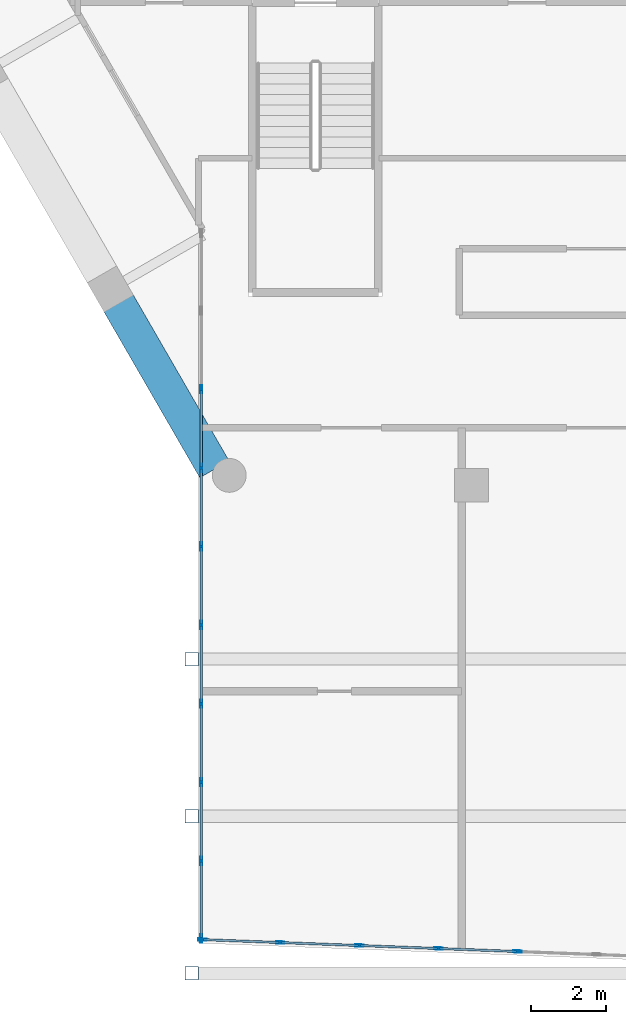
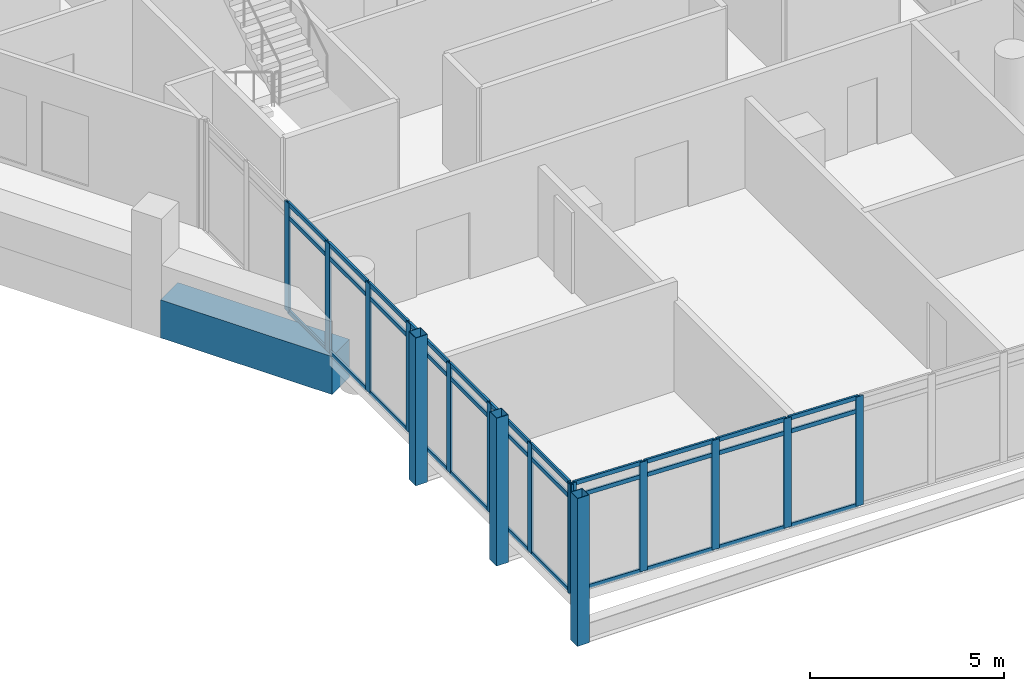
# One storey, part 2 of 25: 49 members, 1 beam, 2 elements without a shape of their own.
"""IFC4 building model written with IfcOpenShell, lengths in metres."""

from ifc_helpers import new_model, si_unit, direction, frame, origin, origin_2d, place, context, subcontext, project, spatial, rectangle, hollow_rectangle, extrude, material, material_profile, profile_set, type_object, element, aggregate, save


model = new_model("IFC4")

# Units and contexts
model_context = context("Model", 3, precision=1e-05, world=origin(), true_north=direction((0.0, 1.0)))
body_context = subcontext(model_context, "Body", "Model", "MODEL_VIEW")
ifc_project = project(units=[si_unit("LENGTHUNIT", "METRE"), si_unit("AREAUNIT", "SQUARE_METRE"), si_unit("VOLUMEUNIT", "CUBIC_METRE"), si_unit("PLANEANGLEUNIT", "RADIAN"), si_unit("MASSUNIT", "GRAM", prefix="KILO")], contexts=[model_context])

# Site, building, storey
site_placement = place(None, origin())
site = spatial("IfcSite", under=ifc_project, at=site_placement, CompositionType="ELEMENT")
building_placement = place(site_placement, origin())
building = spatial("IfcBuilding", under=site, at=building_placement, Name="Ostrander Bayou Hotel Tower", CompositionType="ELEMENT")
storey_placement = place(building_placement, frame((0.0, 0.0, 233.25)))
storey = spatial("IfcBuildingStorey", under=building, at=storey_placement, Name="L58", CompositionType="ELEMENT", Elevation=233.25)

# Curtain wall, members
ifc_material_1 = material(Name="Aluminium and clear glass", Category="aluminium")
curtain_wall_type = type_object("IfcCurtainWallType", Name="CW-BAR glazed wall", PredefinedType="NOTDEFINED", material=ifc_material_1)
curtain_wall_1_placement = place(storey_placement, origin())
curtain_wall_1 = element("IfcCurtainWall", 1, at=curtain_wall_1_placement, inside=storey, type_object=curtain_wall_type, Name="CW-BAR L58:SB5S:E", PredefinedType="NOTDEFINED")
ifc_material_2 = material(Name="Aluminium", Category="aluminium")
ifc_material_profile_1 = material_profile(ifc_material_2, hollow_rectangle(XDim=0.06005859375, YDim=0.219970703125, WallThickness=0.00390625, at=origin_2d()))
ifc_profile_set_1 = profile_set([ifc_material_profile_1], Name="Aluminium")
member_type_1 = type_object("IfcMemberType", Name="CW-BR mullion 60 x 220 mm", PredefinedType="MULLION", material=ifc_profile_set_1)
member_1_placement = place(storey_placement, frame((-10.51220703125, -13.972412109375, 0.0), z_axis=(0.0, 0.0, 1.0), x_axis=(1.0, 0.0, 0.0)))
member_1 = element("IfcMember", 2, at=member_1_placement, type_object=member_type_1, Name="CW-BAR mullion 3", PredefinedType="MULLION", context=body_context, shape_type="SweptSolid", body=[
    extrude(hollow_rectangle(XDim=0.06005859375, YDim=0.219970703125, WallThickness=0.00390625, at=origin_2d()), origin(), (0.0, 0.0, 1.0), 3.449951171875),
])
member_2_placement = place(storey_placement, frame((-10.51220703125, -16.0625, 0.0), z_axis=(0.0, 0.0, 1.0), x_axis=(1.0, 0.0, 0.0)))
member_2 = element("IfcMember", 3, at=member_2_placement, type_object=member_type_1, Name="CW-BAR mullion 4", PredefinedType="MULLION", context=body_context, shape_type="SweptSolid", body=[
    extrude(hollow_rectangle(XDim=0.06005859375, YDim=0.219970703125, WallThickness=0.00390625, at=origin_2d()), origin(), (0.0, 0.0, 1.0), 3.449951171875),
])
member_3_placement = place(storey_placement, frame((-10.51220703125, -18.152587890625, 0.0), z_axis=(0.0, 0.0, 1.0), x_axis=(1.0, 0.0, 0.0)))
member_3 = element("IfcMember", 4, at=member_3_placement, type_object=member_type_1, Name="CW-BAR mullion 5", PredefinedType="MULLION", context=body_context, shape_type="SweptSolid", body=[
    extrude(hollow_rectangle(XDim=0.06005859375, YDim=0.219970703125, WallThickness=0.00390625, at=origin_2d()), origin(), (0.0, 0.0, 1.0), 3.449951171875),
])
member_4_placement = place(storey_placement, frame((-10.51220703125, -20.24267578125, 0.0), z_axis=(0.0, 0.0, 1.0), x_axis=(1.0, 0.0, 0.0)))
member_4 = element("IfcMember", 5, at=member_4_placement, type_object=member_type_1, Name="CW-BAR mullion 6", PredefinedType="MULLION", context=body_context, shape_type="SweptSolid", body=[
    extrude(hollow_rectangle(XDim=0.06005859375, YDim=0.219970703125, WallThickness=0.00390625, at=origin_2d()), origin(), (0.0, 0.0, 1.0), 3.449951171875),
])
member_5_placement = place(storey_placement, frame((-10.51220703125, -22.33251953125, 0.0), z_axis=(0.0, 0.0, 1.0), x_axis=(1.0, 0.0, 0.0)))
member_5 = element("IfcMember", 6, at=member_5_placement, type_object=member_type_1, Name="CW-BAR mullion 7", PredefinedType="MULLION", context=body_context, shape_type="SweptSolid", body=[
    extrude(hollow_rectangle(XDim=0.06005859375, YDim=0.219970703125, WallThickness=0.00390625, at=origin_2d()), origin(), (0.0, 0.0, 1.0), 3.449951171875),
])
member_6_placement = place(storey_placement, frame((-10.51220703125, -24.422607421875, 0.0), z_axis=(0.0, 0.0, 1.0), x_axis=(1.0, 0.0, 0.0)))
member_6 = element("IfcMember", 7, at=member_6_placement, type_object=member_type_1, Name="CW-BAR mullion 8", PredefinedType="MULLION", context=body_context, shape_type="SweptSolid", body=[
    extrude(hollow_rectangle(XDim=0.06005859375, YDim=0.219970703125, WallThickness=0.00390625, at=origin_2d()), origin(), (0.0, 0.0, 1.0), 3.449951171875),
])
member_7_placement = place(storey_placement, frame((-10.51220703125, -26.5126953125, 0.0), z_axis=(0.0, 0.0, 1.0), x_axis=(1.0, 0.0, 0.0)))
member_7 = element("IfcMember", 8, at=member_7_placement, type_object=member_type_1, Name="CW-BAR mullion 9", PredefinedType="MULLION", context=body_context, shape_type="SweptSolid", body=[
    extrude(hollow_rectangle(XDim=0.06005859375, YDim=0.219970703125, WallThickness=0.00390625, at=origin_2d()), origin(), (0.0, 0.0, 1.0), 3.449951171875),
])
member_8_placement = place(storey_placement, frame((-10.51220703125, -28.57275390625, 0.0), z_axis=(0.0, 0.0, 1.0), x_axis=(1.0, 0.0, 0.0)))
member_8 = element("IfcMember", 9, at=member_8_placement, type_object=member_type_1, Name="CW-BAR mullion 10", PredefinedType="MULLION", context=body_context, shape_type="SweptSolid", body=[
    extrude(hollow_rectangle(XDim=0.06005859375, YDim=0.219970703125, WallThickness=0.00390625, at=origin_2d()), origin(), (0.0, 0.0, 1.0), 3.449951171875),
])

curtain_wall_2_placement = place(storey_placement, origin())
curtain_wall_2 = element("IfcCurtainWall", 10, at=curtain_wall_2_placement, inside=storey, type_object=curtain_wall_type, Name="CW-BAR L58:SB5S:T", PredefinedType="NOTDEFINED")
member_9_placement = place(storey_placement, frame((-10.482177734375, -28.60400390625, 0.0), z_axis=(0.0, 0.0, 1.0), x_axis=(0.037757725854, 0.99928692283, 0.0)))
member_9 = element("IfcMember", 11, at=member_9_placement, type_object=member_type_1, Name="CW-BAR mullion 1", PredefinedType="MULLION", context=body_context, shape_type="SweptSolid", body=[
    extrude(hollow_rectangle(XDim=0.06005859375, YDim=0.219970703125, WallThickness=0.00390625, at=origin_2d()), origin(), (0.0, 0.0, 1.0), 3.449951171875),
])
member_10_placement = place(storey_placement, frame((-8.40966796875, -28.68212890625, 0.0), z_axis=(0.0, 0.0, 1.0), x_axis=(0.037757725854, 0.99928692283, 0.0)))
member_10 = element("IfcMember", 12, at=member_10_placement, type_object=member_type_1, Name="CW-BAR mullion 2", PredefinedType="MULLION", context=body_context, shape_type="SweptSolid", body=[
    extrude(hollow_rectangle(XDim=0.06005859375, YDim=0.219970703125, WallThickness=0.00390625, at=origin_2d()), origin(), (0.0, 0.0, 1.0), 3.449951171875),
])
member_11_placement = place(storey_placement, frame((-6.307373046875, -28.76171875, 0.0), z_axis=(0.0, 0.0, 1.0), x_axis=(0.037757725854, 0.99928692283, 0.0)))
member_11 = element("IfcMember", 13, at=member_11_placement, type_object=member_type_1, Name="CW-BAR mullion 3", PredefinedType="MULLION", context=body_context, shape_type="SweptSolid", body=[
    extrude(hollow_rectangle(XDim=0.06005859375, YDim=0.219970703125, WallThickness=0.00390625, at=origin_2d()), origin(), (0.0, 0.0, 1.0), 3.449951171875),
])
member_12_placement = place(storey_placement, frame((-4.204833984375, -28.841064453125, 0.0), z_axis=(0.0, 0.0, 1.0), x_axis=(0.037757725854, 0.99928692283, 0.0)))
member_12 = element("IfcMember", 14, at=member_12_placement, type_object=member_type_1, Name="CW-BAR mullion 4", PredefinedType="MULLION", context=body_context, shape_type="SweptSolid", body=[
    extrude(hollow_rectangle(XDim=0.06005859375, YDim=0.219970703125, WallThickness=0.00390625, at=origin_2d()), origin(), (0.0, 0.0, 1.0), 3.449951171875),
])
member_13_placement = place(storey_placement, frame((-2.1025390625, -28.920654296875, 0.0), z_axis=(0.0, 0.0, 1.0), x_axis=(0.037757725854, 0.99928692283, 0.0)))
member_13 = element("IfcMember", 15, at=member_13_placement, type_object=member_type_1, Name="CW-BAR mullion 5", PredefinedType="MULLION", context=body_context, shape_type="SweptSolid", body=[
    extrude(hollow_rectangle(XDim=0.06005859375, YDim=0.219970703125, WallThickness=0.00390625, at=origin_2d()), origin(), (0.0, 0.0, 1.0), 3.449951171875),
])

# Member
ifc_material_3 = material(Name="Aluminium", Category="aluminium")
ifc_material_profile_2 = material_profile(ifc_material_3, hollow_rectangle(XDim=0.06005859375, YDim=0.1298828125, WallThickness=0.00390625, at=origin_2d()))
ifc_profile_set_2 = profile_set([ifc_material_profile_2], Name="Aluminium")
member_type_2 = type_object("IfcMemberType", Name="CW-BR transom 60 x 130 mm", PredefinedType="USERDEFINED", material=ifc_profile_set_2)
member_14_placement = place(storey_placement, frame((-10.51220703125, -14.00244140625, 0.030029296875), z_axis=(0.0, -1.0, 0.0), x_axis=(1.0, 0.0, 0.0)))
member_14 = element("IfcMember", 16, at=member_14_placement, type_object=member_type_2, Name="CW-BAR transom 3.1", ObjectType="TRANSOM", PredefinedType="USERDEFINED", context=body_context, shape_type="SweptSolid", body=[
    extrude(hollow_rectangle(XDim=0.06005859375, YDim=0.1298828125, WallThickness=0.00390625, at=origin_2d()), origin(), (0.0, 0.0, 1.0), 2.030029296875),
])

member_15_placement = place(storey_placement, frame((-10.51220703125, -14.00244140625, 3.0), z_axis=(0.0, -1.0, 0.0), x_axis=(1.0, 0.0, 0.0)))
member_15 = element("IfcMember", 17, at=member_15_placement, type_object=member_type_2, Name="CW-BAR transom 3.2", ObjectType="TRANSOM", PredefinedType="USERDEFINED", context=body_context, shape_type="SweptSolid", body=[
    extrude(hollow_rectangle(XDim=0.06005859375, YDim=0.1298828125, WallThickness=0.00390625, at=origin_2d()), origin(), (0.0, 0.0, 1.0), 2.030029296875),
])

member_16_placement = place(storey_placement, frame((-10.51220703125, -14.00244140625, 3.419921875), z_axis=(0.0, -1.0, 0.0), x_axis=(1.0, 0.0, 0.0)))
member_16 = element("IfcMember", 18, at=member_16_placement, type_object=member_type_2, Name="CW-BAR transom 3.3", ObjectType="TRANSOM", PredefinedType="USERDEFINED", context=body_context, shape_type="SweptSolid", body=[
    extrude(hollow_rectangle(XDim=0.06005859375, YDim=0.1298828125, WallThickness=0.00390625, at=origin_2d()), origin(), (0.0, 0.0, 1.0), 2.030029296875),
])

member_17_placement = place(storey_placement, frame((-10.51220703125, -16.092529296875, 0.030029296875), z_axis=(0.0, -1.0, 0.0), x_axis=(1.0, 0.0, 0.0)))
member_17 = element("IfcMember", 19, at=member_17_placement, type_object=member_type_2, Name="CW-BAR transom 4.1", ObjectType="TRANSOM", PredefinedType="USERDEFINED", context=body_context, shape_type="SweptSolid", body=[
    extrude(hollow_rectangle(XDim=0.06005859375, YDim=0.1298828125, WallThickness=0.00390625, at=origin_2d()), origin(), (0.0, 0.0, 1.0), 2.030029296875),
])

member_18_placement = place(storey_placement, frame((-10.51220703125, -16.092529296875, 3.0), z_axis=(0.0, -1.0, 0.0), x_axis=(1.0, 0.0, 0.0)))
member_18 = element("IfcMember", 20, at=member_18_placement, type_object=member_type_2, Name="CW-BAR transom 4.2", ObjectType="TRANSOM", PredefinedType="USERDEFINED", context=body_context, shape_type="SweptSolid", body=[
    extrude(hollow_rectangle(XDim=0.06005859375, YDim=0.1298828125, WallThickness=0.00390625, at=origin_2d()), origin(), (0.0, 0.0, 1.0), 2.030029296875),
])

member_19_placement = place(storey_placement, frame((-10.51220703125, -16.092529296875, 3.419921875), z_axis=(0.0, -1.0, 0.0), x_axis=(1.0, 0.0, 0.0)))
member_19 = element("IfcMember", 21, at=member_19_placement, type_object=member_type_2, Name="CW-BAR transom 4.3", ObjectType="TRANSOM", PredefinedType="USERDEFINED", context=body_context, shape_type="SweptSolid", body=[
    extrude(hollow_rectangle(XDim=0.06005859375, YDim=0.1298828125, WallThickness=0.00390625, at=origin_2d()), origin(), (0.0, 0.0, 1.0), 2.030029296875),
])

member_20_placement = place(storey_placement, frame((-10.51220703125, -18.1826171875, 0.030029296875), z_axis=(0.0, -1.0, 0.0), x_axis=(1.0, 0.0, 0.0)))
member_20 = element("IfcMember", 22, at=member_20_placement, type_object=member_type_2, Name="CW-BAR transom 5.1", ObjectType="TRANSOM", PredefinedType="USERDEFINED", context=body_context, shape_type="SweptSolid", body=[
    extrude(hollow_rectangle(XDim=0.06005859375, YDim=0.1298828125, WallThickness=0.00390625, at=origin_2d()), origin(), (0.0, 0.0, 1.0), 2.030029296875),
])

member_21_placement = place(storey_placement, frame((-10.51220703125, -18.1826171875, 3.0), z_axis=(0.0, -1.0, 0.0), x_axis=(1.0, 0.0, 0.0)))
member_21 = element("IfcMember", 23, at=member_21_placement, type_object=member_type_2, Name="CW-BAR transom 5.2", ObjectType="TRANSOM", PredefinedType="USERDEFINED", context=body_context, shape_type="SweptSolid", body=[
    extrude(hollow_rectangle(XDim=0.06005859375, YDim=0.1298828125, WallThickness=0.00390625, at=origin_2d()), origin(), (0.0, 0.0, 1.0), 2.030029296875),
])

member_22_placement = place(storey_placement, frame((-10.51220703125, -18.1826171875, 3.419921875), z_axis=(0.0, -1.0, 0.0), x_axis=(1.0, 0.0, 0.0)))
member_22 = element("IfcMember", 24, at=member_22_placement, type_object=member_type_2, Name="CW-BAR transom 5.3", ObjectType="TRANSOM", PredefinedType="USERDEFINED", context=body_context, shape_type="SweptSolid", body=[
    extrude(hollow_rectangle(XDim=0.06005859375, YDim=0.1298828125, WallThickness=0.00390625, at=origin_2d()), origin(), (0.0, 0.0, 1.0), 2.030029296875),
])

member_23_placement = place(storey_placement, frame((-10.51220703125, -20.2724609375, 0.030029296875), z_axis=(0.0, -1.0, 0.0), x_axis=(1.0, 0.0, 0.0)))
member_23 = element("IfcMember", 25, at=member_23_placement, type_object=member_type_2, Name="CW-BAR transom 6.1", ObjectType="TRANSOM", PredefinedType="USERDEFINED", context=body_context, shape_type="SweptSolid", body=[
    extrude(hollow_rectangle(XDim=0.06005859375, YDim=0.1298828125, WallThickness=0.00390625, at=origin_2d()), origin(), (0.0, 0.0, 1.0), 2.0302734375),
])

member_24_placement = place(storey_placement, frame((-10.51220703125, -20.2724609375, 3.0), z_axis=(0.0, -1.0, 0.0), x_axis=(1.0, 0.0, 0.0)))
member_24 = element("IfcMember", 26, at=member_24_placement, type_object=member_type_2, Name="CW-BAR transom 6.2", ObjectType="TRANSOM", PredefinedType="USERDEFINED", context=body_context, shape_type="SweptSolid", body=[
    extrude(hollow_rectangle(XDim=0.06005859375, YDim=0.1298828125, WallThickness=0.00390625, at=origin_2d()), origin(), (0.0, 0.0, 1.0), 2.0302734375),
])

member_25_placement = place(storey_placement, frame((-10.51220703125, -20.2724609375, 3.419921875), z_axis=(0.0, -1.0, 0.0), x_axis=(1.0, 0.0, 0.0)))
member_25 = element("IfcMember", 27, at=member_25_placement, type_object=member_type_2, Name="CW-BAR transom 6.3", ObjectType="TRANSOM", PredefinedType="USERDEFINED", context=body_context, shape_type="SweptSolid", body=[
    extrude(hollow_rectangle(XDim=0.06005859375, YDim=0.1298828125, WallThickness=0.00390625, at=origin_2d()), origin(), (0.0, 0.0, 1.0), 2.0302734375),
])

member_26_placement = place(storey_placement, frame((-10.51220703125, -22.362548828125, 0.030029296875), z_axis=(0.0, -1.0, 0.0), x_axis=(1.0, 0.0, 0.0)))
member_26 = element("IfcMember", 28, at=member_26_placement, type_object=member_type_2, Name="CW-BAR transom 7.1", ObjectType="TRANSOM", PredefinedType="USERDEFINED", context=body_context, shape_type="SweptSolid", body=[
    extrude(hollow_rectangle(XDim=0.06005859375, YDim=0.1298828125, WallThickness=0.00390625, at=origin_2d()), origin(), (0.0, 0.0, 1.0), 2.030029296875),
])

member_27_placement = place(storey_placement, frame((-10.51220703125, -22.362548828125, 3.0), z_axis=(0.0, -1.0, 0.0), x_axis=(1.0, 0.0, 0.0)))
member_27 = element("IfcMember", 29, at=member_27_placement, type_object=member_type_2, Name="CW-BAR transom 7.2", ObjectType="TRANSOM", PredefinedType="USERDEFINED", context=body_context, shape_type="SweptSolid", body=[
    extrude(hollow_rectangle(XDim=0.06005859375, YDim=0.1298828125, WallThickness=0.00390625, at=origin_2d()), origin(), (0.0, 0.0, 1.0), 2.030029296875),
])

member_28_placement = place(storey_placement, frame((-10.51220703125, -22.362548828125, 3.419921875), z_axis=(0.0, -1.0, 0.0), x_axis=(1.0, 0.0, 0.0)))
member_28 = element("IfcMember", 30, at=member_28_placement, type_object=member_type_2, Name="CW-BAR transom 7.3", ObjectType="TRANSOM", PredefinedType="USERDEFINED", context=body_context, shape_type="SweptSolid", body=[
    extrude(hollow_rectangle(XDim=0.06005859375, YDim=0.1298828125, WallThickness=0.00390625, at=origin_2d()), origin(), (0.0, 0.0, 1.0), 2.030029296875),
])

member_29_placement = place(storey_placement, frame((-10.51220703125, -24.45263671875, 0.030029296875), z_axis=(0.0, -1.0, 0.0), x_axis=(1.0, 0.0, 0.0)))
member_29 = element("IfcMember", 31, at=member_29_placement, type_object=member_type_2, Name="CW-BAR transom 8.1", ObjectType="TRANSOM", PredefinedType="USERDEFINED", context=body_context, shape_type="SweptSolid", body=[
    extrude(hollow_rectangle(XDim=0.06005859375, YDim=0.1298828125, WallThickness=0.00390625, at=origin_2d()), origin(), (0.0, 0.0, 1.0), 2.030029296875),
])

member_30_placement = place(storey_placement, frame((-10.51220703125, -24.45263671875, 3.0), z_axis=(0.0, -1.0, 0.0), x_axis=(1.0, 0.0, 0.0)))
member_30 = element("IfcMember", 32, at=member_30_placement, type_object=member_type_2, Name="CW-BAR transom 8.2", ObjectType="TRANSOM", PredefinedType="USERDEFINED", context=body_context, shape_type="SweptSolid", body=[
    extrude(hollow_rectangle(XDim=0.06005859375, YDim=0.1298828125, WallThickness=0.00390625, at=origin_2d()), origin(), (0.0, 0.0, 1.0), 2.030029296875),
])

member_31_placement = place(storey_placement, frame((-10.51220703125, -24.45263671875, 3.419921875), z_axis=(0.0, -1.0, 0.0), x_axis=(1.0, 0.0, 0.0)))
member_31 = element("IfcMember", 33, at=member_31_placement, type_object=member_type_2, Name="CW-BAR transom 8.3", ObjectType="TRANSOM", PredefinedType="USERDEFINED", context=body_context, shape_type="SweptSolid", body=[
    extrude(hollow_rectangle(XDim=0.06005859375, YDim=0.1298828125, WallThickness=0.00390625, at=origin_2d()), origin(), (0.0, 0.0, 1.0), 2.030029296875),
])

member_32_placement = place(storey_placement, frame((-10.51220703125, -26.542724609375, 0.030029296875), z_axis=(0.0, -1.0, 0.0), x_axis=(1.0, 0.0, 0.0)))
member_32 = element("IfcMember", 34, at=member_32_placement, type_object=member_type_2, Name="CW-BAR transom 9.1", ObjectType="TRANSOM", PredefinedType="USERDEFINED", context=body_context, shape_type="SweptSolid", body=[
    extrude(hollow_rectangle(XDim=0.06005859375, YDim=0.1298828125, WallThickness=0.00390625, at=origin_2d()), origin(), (0.0, 0.0, 1.0), 2.0),
])

member_33_placement = place(storey_placement, frame((-10.51220703125, -26.542724609375, 3.0), z_axis=(0.0, -1.0, 0.0), x_axis=(1.0, 0.0, 0.0)))
member_33 = element("IfcMember", 35, at=member_33_placement, type_object=member_type_2, Name="CW-BAR transom 9.2", ObjectType="TRANSOM", PredefinedType="USERDEFINED", context=body_context, shape_type="SweptSolid", body=[
    extrude(hollow_rectangle(XDim=0.06005859375, YDim=0.1298828125, WallThickness=0.00390625, at=origin_2d()), origin(), (0.0, 0.0, 1.0), 2.0),
])

member_34_placement = place(storey_placement, frame((-10.51220703125, -26.542724609375, 3.419921875), z_axis=(0.0, -1.0, 0.0), x_axis=(1.0, 0.0, 0.0)))
member_34 = element("IfcMember", 36, at=member_34_placement, type_object=member_type_2, Name="CW-BAR transom 9.3", ObjectType="TRANSOM", PredefinedType="USERDEFINED", context=body_context, shape_type="SweptSolid", body=[
    extrude(hollow_rectangle(XDim=0.06005859375, YDim=0.1298828125, WallThickness=0.00390625, at=origin_2d()), origin(), (0.0, 0.0, 1.0), 2.0),
])

aggregate(curtain_wall_1, [member_1, member_2, member_3, member_4, member_5, member_6, member_7, member_8, member_14, member_15, member_16, member_17, member_18, member_19, member_20, member_21, member_22, member_23, member_24, member_25, member_26, member_27, member_28, member_29, member_30, member_31, member_32, member_33, member_34])

member_35_placement = place(storey_placement, frame((-10.4521484375, -28.60498046875, 0.030029296875), z_axis=(0.999284446259, -0.0378232133, 0.0), x_axis=(0.0378232133, 0.999284446259, 0.0)))
member_35 = element("IfcMember", 37, at=member_35_placement, type_object=member_type_2, Name="CW-BAR transom 1.1", ObjectType="TRANSOM", PredefinedType="USERDEFINED", context=body_context, shape_type="SweptSolid", body=[
    extrude(hollow_rectangle(XDim=0.06005859375, YDim=0.1298828125, WallThickness=0.00390625, at=origin_2d()), origin(), (0.0, 0.0, 1.0), 2.013916015625),
])

member_36_placement = place(storey_placement, frame((-10.4521484375, -28.60498046875, 3.0), z_axis=(0.999284446259, -0.0378232133, 0.0), x_axis=(0.0378232133, 0.999284446259, 0.0)))
member_36 = element("IfcMember", 38, at=member_36_placement, type_object=member_type_2, Name="CW-BAR transom 1.2", ObjectType="TRANSOM", PredefinedType="USERDEFINED", context=body_context, shape_type="SweptSolid", body=[
    extrude(hollow_rectangle(XDim=0.06005859375, YDim=0.1298828125, WallThickness=0.00390625, at=origin_2d()), origin(), (0.0, 0.0, 1.0), 2.013916015625),
])

member_37_placement = place(storey_placement, frame((-10.4521484375, -28.60498046875, 3.419921875), z_axis=(0.999284446259, -0.0378232133, 0.0), x_axis=(0.0378232133, 0.999284446259, 0.0)))
member_37 = element("IfcMember", 39, at=member_37_placement, type_object=member_type_2, Name="CW-BAR transom 1.3", ObjectType="TRANSOM", PredefinedType="USERDEFINED", context=body_context, shape_type="SweptSolid", body=[
    extrude(hollow_rectangle(XDim=0.06005859375, YDim=0.1298828125, WallThickness=0.00390625, at=origin_2d()), origin(), (0.0, 0.0, 1.0), 2.013916015625),
])

member_38_placement = place(storey_placement, frame((-8.3798828125, -28.683349609375, 0.030029296875), z_axis=(0.999287402917, -0.037745017849, 0.0), x_axis=(0.037745017849, 0.999287402917, 0.0)))
member_38 = element("IfcMember", 40, at=member_38_placement, type_object=member_type_2, Name="CW-BAR transom 2.1", ObjectType="TRANSOM", PredefinedType="USERDEFINED", context=body_context, shape_type="SweptSolid", body=[
    extrude(hollow_rectangle(XDim=0.06005859375, YDim=0.1298828125, WallThickness=0.00390625, at=origin_2d()), origin(), (0.0, 0.0, 1.0), 2.0439453125),
])

member_39_placement = place(storey_placement, frame((-8.3798828125, -28.683349609375, 3.0), z_axis=(0.999287402917, -0.037745017849, 0.0), x_axis=(0.037745017849, 0.999287402917, 0.0)))
member_39 = element("IfcMember", 41, at=member_39_placement, type_object=member_type_2, Name="CW-BAR transom 2.2", ObjectType="TRANSOM", PredefinedType="USERDEFINED", context=body_context, shape_type="SweptSolid", body=[
    extrude(hollow_rectangle(XDim=0.06005859375, YDim=0.1298828125, WallThickness=0.00390625, at=origin_2d()), origin(), (0.0, 0.0, 1.0), 2.0439453125),
])

member_40_placement = place(storey_placement, frame((-8.3798828125, -28.683349609375, 3.419921875), z_axis=(0.999287402917, -0.037745017849, 0.0), x_axis=(0.037745017849, 0.999287402917, 0.0)))
member_40 = element("IfcMember", 42, at=member_40_placement, type_object=member_type_2, Name="CW-BAR transom 2.3", ObjectType="TRANSOM", PredefinedType="USERDEFINED", context=body_context, shape_type="SweptSolid", body=[
    extrude(hollow_rectangle(XDim=0.06005859375, YDim=0.1298828125, WallThickness=0.00390625, at=origin_2d()), origin(), (0.0, 0.0, 1.0), 2.0439453125),
])

member_41_placement = place(storey_placement, frame((-6.27734375, -28.7626953125, 0.030029296875), z_axis=(0.99928289053, -0.037864293127, 0.0), x_axis=(0.037864293127, 0.99928289053, 0.0)))
member_41 = element("IfcMember", 43, at=member_41_placement, type_object=member_type_2, Name="CW-BAR transom 3.1", ObjectType="TRANSOM", PredefinedType="USERDEFINED", context=body_context, shape_type="SweptSolid", body=[
    extrude(hollow_rectangle(XDim=0.06005859375, YDim=0.1298828125, WallThickness=0.00390625, at=origin_2d()), origin(), (0.0, 0.0, 1.0), 2.0439453125),
])

member_42_placement = place(storey_placement, frame((-6.27734375, -28.7626953125, 3.0), z_axis=(0.99928289053, -0.037864293127, 0.0), x_axis=(0.037864293127, 0.99928289053, 0.0)))
member_42 = element("IfcMember", 44, at=member_42_placement, type_object=member_type_2, Name="CW-BAR transom 3.2", ObjectType="TRANSOM", PredefinedType="USERDEFINED", context=body_context, shape_type="SweptSolid", body=[
    extrude(hollow_rectangle(XDim=0.06005859375, YDim=0.1298828125, WallThickness=0.00390625, at=origin_2d()), origin(), (0.0, 0.0, 1.0), 2.0439453125),
])

member_43_placement = place(storey_placement, frame((-6.27734375, -28.7626953125, 3.419921875), z_axis=(0.99928289053, -0.037864293127, 0.0), x_axis=(0.037864293127, 0.99928289053, 0.0)))
member_43 = element("IfcMember", 45, at=member_43_placement, type_object=member_type_2, Name="CW-BAR transom 3.3", ObjectType="TRANSOM", PredefinedType="USERDEFINED", context=body_context, shape_type="SweptSolid", body=[
    extrude(hollow_rectangle(XDim=0.06005859375, YDim=0.1298828125, WallThickness=0.00390625, at=origin_2d()), origin(), (0.0, 0.0, 1.0), 2.0439453125),
])

member_44_placement = place(storey_placement, frame((-4.1748046875, -28.84228515625, 0.030029296875), z_axis=(0.999287402917, -0.037745017849, 0.0), x_axis=(0.037745017849, 0.999287402917, 0.0)))
member_44 = element("IfcMember", 46, at=member_44_placement, type_object=member_type_2, Name="CW-BAR transom 4.1", ObjectType="TRANSOM", PredefinedType="USERDEFINED", context=body_context, shape_type="SweptSolid", body=[
    extrude(hollow_rectangle(XDim=0.06005859375, YDim=0.1298828125, WallThickness=0.00390625, at=origin_2d()), origin(), (0.0, 0.0, 1.0), 2.0439453125),
])

member_45_placement = place(storey_placement, frame((-4.1748046875, -28.84228515625, 3.0), z_axis=(0.999287402917, -0.037745017849, 0.0), x_axis=(0.037745017849, 0.999287402917, 0.0)))
member_45 = element("IfcMember", 47, at=member_45_placement, type_object=member_type_2, Name="CW-BAR transom 4.2", ObjectType="TRANSOM", PredefinedType="USERDEFINED", context=body_context, shape_type="SweptSolid", body=[
    extrude(hollow_rectangle(XDim=0.06005859375, YDim=0.1298828125, WallThickness=0.00390625, at=origin_2d()), origin(), (0.0, 0.0, 1.0), 2.0439453125),
])

member_46_placement = place(storey_placement, frame((-4.1748046875, -28.84228515625, 3.419921875), z_axis=(0.999287402917, -0.037745017849, 0.0), x_axis=(0.037745017849, 0.999287402917, 0.0)))
member_46 = element("IfcMember", 48, at=member_46_placement, type_object=member_type_2, Name="CW-BAR transom 4.3", ObjectType="TRANSOM", PredefinedType="USERDEFINED", context=body_context, shape_type="SweptSolid", body=[
    extrude(hollow_rectangle(XDim=0.06005859375, YDim=0.1298828125, WallThickness=0.00390625, at=origin_2d()), origin(), (0.0, 0.0, 1.0), 2.0439453125),
])

aggregate(curtain_wall_2, [member_9, member_10, member_11, member_12, member_13, member_35, member_36, member_37, member_38, member_39, member_40, member_41, member_42, member_43, member_44, member_45, member_46])

# Beam
ifc_material_4 = material(Name="Concrete f'c 60 MPa", Category="concrete")
ifc_material_profile_3 = material_profile(ifc_material_4, rectangle(XDim=0.89990234375, YDim=1.199951171875, at=origin_2d()))
ifc_profile_set_3 = profile_set([ifc_material_profile_3], Name="Concrete f'c 60 MPa")
beam_type = type_object("IfcBeamType", Name="SP4 spandrel beam 900 x 1200 mm f'c 60 MPa", PredefinedType="SPANDREL", material=ifc_profile_set_3)
beam_placement = place(storey_placement, frame((-12.7177734375, -11.672119140625, -0.60009765625), z_axis=(0.500015879365, -0.866016235635, 0.0), x_axis=(0.866016235635, 0.500015879365, 0.0)))
element("IfcBeam", 49, at=beam_placement, inside=storey, type_object=beam_type, Name="SP4 L58 SW-3", PredefinedType="SPANDREL", context=body_context, shape_type="SweptSolid", body=[
    extrude(rectangle(XDim=0.89990234375, YDim=1.199951171875, at=origin_2d()), origin(), (0.0, 0.0, 1.0), 5.113525390625),
])

# Members
ifc_material_5 = material(Name="Steel ASTM A500 Gr C", Category="steel")
ifc_material_profile_4 = material_profile(ifc_material_5, hollow_rectangle(XDim=0.355712890625, YDim=0.355712890625, WallThickness=0.0146484375, at=origin_2d()))
ifc_profile_set_4 = profile_set([ifc_material_profile_4], Name="Steel ASTM A500 Gr C")
member_type_3 = type_object("IfcMemberType", Name="TH1 bar hanger HSS14x14x5/8", PredefinedType="POST", material=ifc_profile_set_4)
for number, where, z_axis, x_axis, name in (
    (50, (-10.764892578125, -21.147705078125, -0.9111328125), (0.0, 0.0, 1.0), (1.0, 0.0, 0.0), "TH1 SB5SA H1-4"),
    (51, (-10.764892578125, -25.32373046875, -0.9111328125), (0.0, 0.0, 1.0), (1.0, 0.0, 0.0), "TH1 SB5SA H2-4"),
    (52, (-10.764892578125, -29.5, -0.9111328125), (0.0, 0.0, 1.0), (1.0, 0.0, 0.0), "TH1 SB5SA H3-4"),
):
    element("IfcMember", number, at=place(storey_placement, frame(where, z_axis=z_axis, x_axis=x_axis)), inside=storey, type_object=member_type_3, Name=name, PredefinedType="POST", context=body_context, shape_type="SweptSolid", body=[
        extrude(hollow_rectangle(XDim=0.355712890625, YDim=0.355712890625, WallThickness=0.0146484375, at=origin_2d()), origin(), (0.0, 0.0, 1.0), 4.6611328125),
    ])

save(model, "model.ifc")
